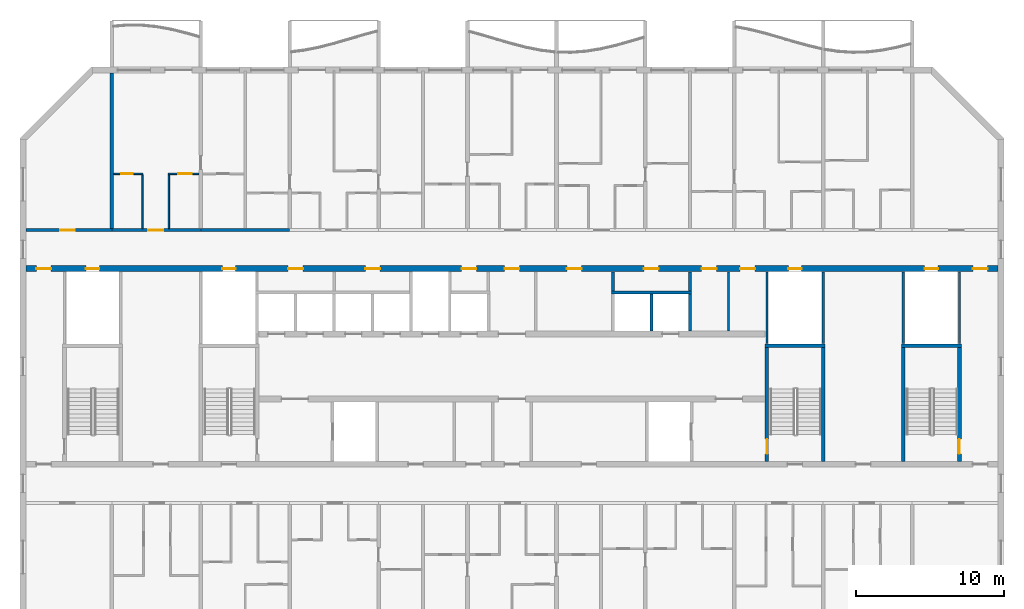
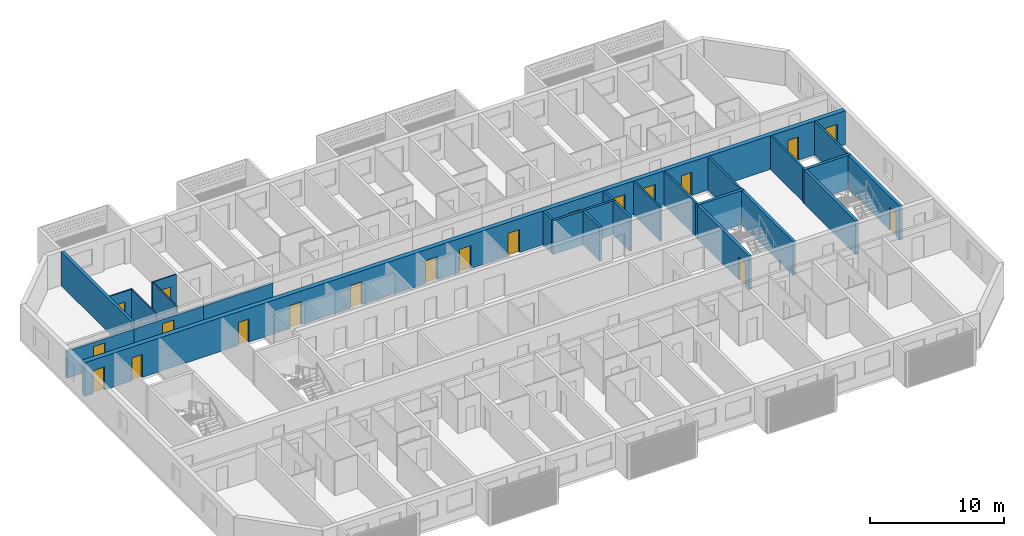
# One storey, part 7 of 26: 25 walls, 20 doors, 20 openings.
"""IFC4 building model written with IfcOpenShell, lengths in metres."""

import ifcopenshell
import ifcopenshell.guid

model = None  # the IFC model being written
_history = None  # IfcOwnerHistory: only IFC2X3 demands one
_inside = {}  # id of a spatial element -> (the spatial element, [elements in it])
_under = {}  # id of a project, library or spatial element -> (it, [spatial elements below it])
_declared = {}  # id of a project -> (the project, [libraries it declares])
_typed = {}  # id of a type object -> (the type object, [elements of that type])
_made_of = {}  # id of a material, layer set ... -> (it, [elements and type objects made of it])


def new_model(schema):
    """Start an empty IFC model of exactly this schema.

    Asked for "IFC4X3", IfcOpenShell would pick the latest addendum, in which some entities
    have other attributes; the version numbers below select the first issue.
    IFC2X3 requires an IfcOwnerHistory on every rooted entity: one is made here for all.
    """
    global model, _history
    if schema == "IFC4X3":
        model = ifcopenshell.file(schema_version=(4, 3, 0, 0))
    else:
        model = ifcopenshell.file(schema=schema)
    _inside.clear()
    _under.clear()
    _declared.clear()
    _typed.clear()
    _made_of.clear()
    _history = None
    if model.schema == "IFC2X3":
        org = make("IfcOrganization", Name="unknown")
        user = make(
            "IfcPersonAndOrganization",
            ThePerson=make("IfcPerson", FamilyName="unknown"),
            TheOrganization=org,
        )
        app = make(
            "IfcApplication",
            ApplicationDeveloper=org,
            Version="unknown",
            ApplicationFullName="unknown",
            ApplicationIdentifier="unknown",
        )
        _history = make(
            "IfcOwnerHistory",
            OwningUser=user,
            OwningApplication=app,
            ChangeAction="ADDED",
            CreationDate=0,
        )
    return model


def make(cls, **values):
    """One entity of the class cls with the attributes given. An attribute that is None is left unset."""
    return model.create_entity(
        cls, **{name: value for name, value in values.items() if value is not None}
    )


def rooted(cls, **values):
    """An entity with a GlobalId (a new one), such as an element, a storey or a relation."""
    return make(cls, GlobalId=ifcopenshell.guid.new(), OwnerHistory=_history, **values)


def si_unit(unit_type, name, prefix=None):
    """IfcSIUnit, for example si_unit("LENGTHUNIT", "METRE", prefix="MILLI")."""
    return make("IfcSIUnit", UnitType=unit_type, Prefix=prefix, Name=name)


def assignment(units):
    """IfcUnitAssignment: the units of a project."""
    return None if units is None else make("IfcUnitAssignment", Units=units)


def point(xyz):
    """IfcCartesianPoint."""
    return None if xyz is None else make("IfcCartesianPoint", Coordinates=xyz)


def direction(xyz):
    """IfcDirection."""
    return None if xyz is None else make("IfcDirection", DirectionRatios=xyz)


def frame(location, z_axis=None, x_axis=None):
    """IfcAxis2Placement3D, a coordinate frame: its origin and axes. An axis left out is left unset."""
    return make(
        "IfcAxis2Placement3D",
        Location=point(location),
        Axis=direction(z_axis),
        RefDirection=direction(x_axis),
    )


def frame_2d(location, x_axis=None):
    """IfcAxis2Placement2D, a coordinate frame in the plane: its origin and x axis."""
    return make(
        "IfcAxis2Placement2D", Location=point(location), RefDirection=direction(x_axis)
    )


def origin():
    """The frame at (0, 0, 0) with its axes left unset."""
    return frame((0.0, 0.0, 0.0))


def place(relative_to, where):
    """IfcLocalPlacement: puts the frame where relative to a parent placement (None: the world)."""
    return make(
        "IfcLocalPlacement", PlacementRelTo=relative_to, RelativePlacement=where
    )


def context(
    kind, dimensions, precision=None, world=None, true_north=None, identifier=None
):
    """IfcGeometricRepresentationContext, for example the 3D "Model" context."""
    return make(
        "IfcGeometricRepresentationContext",
        ContextIdentifier=identifier,
        ContextType=kind,
        CoordinateSpaceDimension=dimensions,
        Precision=precision,
        WorldCoordinateSystem=world,
        TrueNorth=true_north,
    )


def subcontext(parent, identifier, kind, view, scale=None):
    """IfcGeometricRepresentationSubContext, for example "Body" below "Model"."""
    return make(
        "IfcGeometricRepresentationSubContext",
        ContextIdentifier=identifier,
        ContextType=kind,
        ParentContext=parent,
        TargetScale=scale,
        TargetView=view,
    )


def project(units=None, contexts=None):
    """IfcProject with its units and contexts."""
    return rooted(
        "IfcProject",
        Name="project",
        RepresentationContexts=contexts,
        UnitsInContext=assignment(units),
    )


def spatial(cls, under=None, at=None, **own):
    """A site, building, storey or space (cls), placed at a placement, below another one or the project."""
    s = rooted(cls, ObjectPlacement=at, **own)
    if under is not None:
        _under.setdefault(under.id(), (under, []))[1].append(s)
    return s


def profile(cls, at=None, kind="AREA", **sizes):
    """A parametric profile (cls). Its sizes go by their IFC names, for example OverallWidth=200.0."""
    return make(cls, ProfileType=kind, Position=at, **sizes)


def rectangle(**sizes):
    """IfcRectangleProfileDef."""
    return profile("IfcRectangleProfileDef", **sizes)


def extrude(swept, where, along, depth):
    """IfcExtrudedAreaSolid: the profile swept, set in the frame where, extruded along a direction by depth."""
    return make(
        "IfcExtrudedAreaSolid",
        SweptArea=swept,
        Position=where,
        ExtrudedDirection=direction(along),
        Depth=depth,
    )


def shape(context_of_items, identifier, shape_type, items):
    """IfcShapeRepresentation: the items that make up one representation, for example the "Body"."""
    return make(
        "IfcShapeRepresentation",
        ContextOfItems=context_of_items,
        RepresentationIdentifier=identifier,
        RepresentationType=shape_type,
        Items=items,
    )


def material(Name=None, Category=None):
    """IfcMaterial."""
    return make("IfcMaterial", Name=Name, Category=Category)


def layer(
    of_material, thickness, ventilated=None, Name=None, Category=None, Priority=None
):
    """IfcMaterialLayer: one layer of a wall or slab, of a material (None: an air gap)."""
    return make(
        "IfcMaterialLayer",
        Material=of_material,
        LayerThickness=thickness,
        IsVentilated=ventilated,
        Name=Name,
        Category=Category,
        Priority=Priority,
    )


def layer_set(layers, Name=None):
    """IfcMaterialLayerSet."""
    return make("IfcMaterialLayerSet", MaterialLayers=layers, LayerSetName=Name)


def made_of(thing, what):
    """Note that an element or type object is made of a material, layer set ...; save() writes the relation."""
    if what is not None:
        _made_of.setdefault(what.id(), (what, []))[1].append(thing)
    return thing


def type_object(cls, material=None, **own):
    """A type object (cls), such as IfcWallType, which elements share."""
    return made_of(rooted(cls, **own), material)


def element(
    cls,
    number,
    at=None,
    inside=None,
    cuts=None,
    type_object=None,
    material=None,
    context=None,
    identifier="Body",
    shape_type=None,
    held_by="IfcProductDefinitionShape",
    body=None,
    shapes=None,
    **own,
):
    """One element of the class cls, such as IfcWall. Its Tag is "e" and its number.

    at: its placement. inside: the storey or other place that contains it. cuts: it is an
    opening in that element (IfcRelVoidsElement). A single representation is given by context,
    identifier, shape_type and body (its items); several are given by shapes. held_by: the class
    of the entity that holds the representations. save() writes the other relations.
    """
    e = rooted(cls, Tag="e%d" % number, ObjectPlacement=at, **own)
    if body is not None:
        shapes = [shape(context, identifier, shape_type, body)]
    if shapes is not None:
        e.Representation = make(held_by, Representations=shapes)
    if inside is not None:
        _inside.setdefault(inside.id(), (inside, []))[1].append(e)
    if cuts is not None:
        rooted(
            "IfcRelVoidsElement", RelatingBuildingElement=cuts, RelatedOpeningElement=e
        )
    if type_object is not None:
        _typed.setdefault(type_object.id(), (type_object, []))[1].append(e)
    return made_of(e, material)


def fill(opening, filler):
    """IfcRelFillsElement: the door or window that sits in an opening."""
    return rooted(
        "IfcRelFillsElement",
        RelatingOpeningElement=opening,
        RelatedBuildingElement=filler,
    )


def aggregate(whole, parts):
    """IfcRelAggregates: a whole, such as a stair, and the parts it consists of."""
    return rooted("IfcRelAggregates", RelatingObject=whole, RelatedObjects=parts)


def save(model, path):
    """Write the relations noted so far, then the file.

    IfcRelAggregates (storeys below a building ...), IfcRelContainedInSpatialStructure (elements
    in a storey), IfcRelDefinesByType, IfcRelAssociatesMaterial and IfcRelDeclares: one each for
    every whole, place, type object, material and project.
    """
    for whole, parts in _under.values():
        aggregate(whole, parts)
    for where, things in _inside.values():
        rooted(
            "IfcRelContainedInSpatialStructure",
            RelatedElements=things,
            RelatingStructure=where,
        )
    for kind, things in _typed.values():
        rooted("IfcRelDefinesByType", RelatedObjects=things, RelatingType=kind)
    for what, things in _made_of.values():
        rooted("IfcRelAssociatesMaterial", RelatedObjects=things, RelatingMaterial=what)
    for by, libraries in _declared.values():
        rooted("IfcRelDeclares", RelatingContext=by, RelatedDefinitions=libraries)
    model.write(path)


model = new_model("IFC4")

# Units and contexts
model_context = context("Model", 3, precision=1e-05, world=origin(), true_north=direction((0.0, 1.0)))
body_context = subcontext(model_context, "Body", "Model", "MODEL_VIEW")
ifc_project = project(units=[si_unit("LENGTHUNIT", "METRE"), si_unit("AREAUNIT", "SQUARE_METRE"), si_unit("VOLUMEUNIT", "CUBIC_METRE"), si_unit("PLANEANGLEUNIT", "RADIAN"), si_unit("MASSUNIT", "GRAM", prefix="KILO")], contexts=[model_context])

# Site, building, storey
site_placement = place(None, origin())
site = spatial("IfcSite", under=ifc_project, at=site_placement, CompositionType="ELEMENT")
building_placement = place(site_placement, origin())
building = spatial("IfcBuilding", under=site, at=building_placement, Name="Poui Terraces", CompositionType="ELEMENT")
storey_placement = place(building_placement, frame((0.0, 0.0, 178.5)))
storey = spatial("IfcBuildingStorey", under=building, at=storey_placement, Name="L49", CompositionType="ELEMENT", Elevation=178.5)

# Wall, opening, door
ifc_material_1 = material(Name="Concrete 50 MPa", Category="concrete")
ifc_layer_1 = layer(ifc_material_1, 0.199951171875)
ifc_layer_set_1 = layer_set([ifc_layer_1], Name="Concrete 50 MPa")
wall_type_1 = type_object("IfcWallType", Name="CORRIDOR WALL 200 50MPa", PredefinedType="SHEAR", material=ifc_layer_set_1)
wall_1_placement = place(storey_placement, frame((18.199951171875, 30.39990234375, 0.0), z_axis=(0.0, 0.0, 1.0), x_axis=(1.0, 0.0, 0.0)))
wall_1 = element("IfcWall", 1, at=wall_1_placement, inside=storey, type_object=wall_type_1, Name="CORRIDOR WALL LINE E BAY 1", PredefinedType="SHEAR", context=body_context, shape_type="SweptSolid", body=[
    extrude(rectangle(XDim=5.800048828125, YDim=0.199951171875, at=frame_2d((2.89990234375, 0.0))), origin(), (0.0, 0.0, 1.0), 2.47998046875),
])
opening_1_placement = place(wall_1_placement, frame((2.300048828125, 0.0, 0.0)))
opening_1 = element("IfcOpeningElement", 2, at=opening_1_placement, cuts=wall_1, Name="Opening D100", PredefinedType="OPENING", context=body_context, shape_type="SweptSolid", body=[
    extrude(rectangle(XDim=1.0, YDim=2.10009765625, at=frame_2d((0.5, 1.050048828125))), frame((0.0, 0.10986328125, 0.0), z_axis=(0.0, -1.0, 0.0), x_axis=(1.0, 0.0, 0.0)), (0.0, 0.0, 1.0), 0.219970703125),
])
ifc_material_2 = material(Name="Solid core timber door", Category="wood")
door_type_1 = type_object("IfcDoorType", Name="ACCESSIBLE INTERNAL DOOR 1000 X 2100", OperationType="NOTDEFINED", PredefinedType="DOOR", material=ifc_material_2)
door_1_placement = place(opening_1_placement, origin())
door_1 = element("IfcDoor", 3, at=door_1_placement, inside=storey, type_object=door_type_1, Name="ACCESSIBLE INTERNAL DOOR 025", OperationType="SINGLE_SWING_LEFT", OverallHeight=2.10009765625, OverallWidth=1.0, PredefinedType="DOOR", context=body_context, shape_type="SweptSolid", body=[
    extrude(rectangle(XDim=1.0, YDim=2.10009765625, at=frame_2d((0.5, 1.050048828125))), frame((0.0, 0.02490234375, 0.0), z_axis=(0.0, -1.0, 0.0), x_axis=(1.0, 0.0, 0.0)), (0.0, 0.0, 1.0), 0.050048828125),
])
fill(opening_1, door_1)

wall_2_placement = place(storey_placement, frame((24.0, 30.39990234375, 0.0), z_axis=(0.0, 0.0, 1.0), x_axis=(1.0, 0.0, 0.0)))
wall_2 = element("IfcWall", 4, at=wall_2_placement, inside=storey, type_object=wall_type_1, Name="CORRIDOR WALL LINE E BAY 2", PredefinedType="SHEAR", context=body_context, shape_type="SweptSolid", body=[
    extrude(rectangle(XDim=6.0, YDim=0.199951171875, at=frame_2d((3.0, 0.0))), origin(), (0.0, 0.0, 1.0), 2.47998046875),
])
opening_2_placement = place(wall_2_placement, frame((2.449951171875, 0.0, 0.0)))
opening_2 = element("IfcOpeningElement", 5, at=opening_2_placement, cuts=wall_2, Name="Opening FD30S", PredefinedType="OPENING", context=body_context, shape_type="SweptSolid", body=[
    extrude(rectangle(XDim=1.0, YDim=2.10009765625, at=frame_2d((0.5, 1.050048828125))), frame((0.0, 0.10986328125, 0.0), z_axis=(0.0, -1.0, 0.0), x_axis=(1.0, 0.0, 0.0)), (0.0, 0.0, 1.0), 0.219970703125),
])
ifc_material_3 = material(Name="Steel fire door", Category="steel")
door_type_2 = type_object("IfcDoorType", Name="FLAT ENTRANCE DOOR 1000 X 2100", OperationType="NOTDEFINED", PredefinedType="DOOR", material=ifc_material_3)
door_2_placement = place(opening_2_placement, origin())
door_2 = element("IfcDoor", 6, at=door_2_placement, inside=storey, type_object=door_type_2, Name="FLAT ENTRANCE DOOR 028", OperationType="SINGLE_SWING_LEFT", OverallHeight=2.10009765625, OverallWidth=1.0, PredefinedType="DOOR", context=body_context, shape_type="SweptSolid", body=[
    extrude(rectangle(XDim=1.0, YDim=2.10009765625, at=frame_2d((0.5, 1.050048828125))), frame((0.0, 0.02490234375, 0.0), z_axis=(0.0, -1.0, 0.0), x_axis=(1.0, 0.0, 0.0)), (0.0, 0.0, 1.0), 0.050048828125),
])
fill(opening_2, door_2)

# Walls
wall_3_placement = place(storey_placement, frame((30.0, 30.39990234375, 0.0), z_axis=(0.0, 0.0, 1.0), x_axis=(1.0, 0.0, 0.0)))
element("IfcWall", 7, at=wall_3_placement, inside=storey, type_object=wall_type_1, Name="CORRIDOR WALL LINE E BAY 3", PredefinedType="SHEAR", context=body_context, shape_type="SweptSolid", body=[
    extrude(rectangle(XDim=6.0, YDim=0.199951171875, at=frame_2d((3.0, 0.0))), origin(), (0.0, 0.0, 1.0), 2.47998046875),
])
ifc_layer_2 = layer(ifc_material_1, 0.25)
ifc_layer_set_2 = layer_set([ifc_layer_2], Name="Concrete 50 MPa")
wall_type_2 = type_object("IfcWallType", Name="CROSS WALL 250 50MPa", PredefinedType="SHEAR", material=ifc_layer_set_2)
wall_4_placement = place(storey_placement, frame((24.0, 30.5, 0.0), z_axis=(0.0, 0.0, 1.0), x_axis=(0.0, 1.0, 0.0)))
element("IfcWall", 8, at=wall_4_placement, inside=storey, type_object=wall_type_2, Name="CROSS WALL LINE 5 NORTH", PredefinedType="SHEAR", context=body_context, shape_type="SweptSolid", body=[
    extrude(rectangle(XDim=10.5, YDim=0.25, at=frame_2d((5.25, 0.0))), origin(), (0.0, 0.0, 1.0), 3.080078125),
])

# Wall, opening, door
ifc_material_4 = material(Name="Plasterboard partition")
ifc_layer_3 = layer(ifc_material_4, 0.10009765625)
ifc_layer_set_3 = layer_set([ifc_layer_3], Name="Plasterboard partition")
wall_type_3 = type_object("IfcWallType", Name="FLAT PARTITION 100", PredefinedType="PARTITIONING", material=ifc_layer_set_3)
wall_5_placement = place(storey_placement, frame((24.135009765625, 34.199951171875, 0.0), z_axis=(0.0, 0.0, 1.0), x_axis=(1.0, 0.0, 0.0)))
wall_5 = element("IfcWall", 9, at=wall_5_placement, inside=storey, type_object=wall_type_3, Name="FLAT PARTITION 100", PredefinedType="PARTITIONING", context=body_context, shape_type="SweptSolid", body=[
    extrude(rectangle(XDim=1.965087890625, YDim=0.10009765625, at=frame_2d((0.982421875, 0.0))), origin(), (0.0, 0.0, 1.0), 3.080078125),
])
opening_3_placement = place(wall_5_placement, frame((0.489990234375, 0.0, 0.0)))
opening_3 = element("IfcOpeningElement", 10, at=opening_3_placement, cuts=wall_5, Name="Opening D80", PredefinedType="OPENING", context=body_context, shape_type="SweptSolid", body=[
    extrude(rectangle(XDim=0.800048828125, YDim=2.10009765625, at=frame_2d((0.39990234375, 1.050048828125))), frame((0.0, 0.06005859375, 0.0), z_axis=(0.0, -1.0, 0.0), x_axis=(1.0, 0.0, 0.0)), (0.0, 0.0, 1.0), 0.1201171875),
])
door_type_3 = type_object("IfcDoorType", Name="BATHROOM, LAUNDRY AND STORE DOOR 800 X 2100", OperationType="NOTDEFINED", PredefinedType="DOOR", material=ifc_material_2)
door_3_placement = place(opening_3_placement, frame((0.800048828125, 0.0, 0.0), z_axis=(0.0, 0.0, 1.0), x_axis=(-1.0, 0.0, 0.0)))
door_3 = element("IfcDoor", 11, at=door_3_placement, inside=storey, type_object=door_type_3, Name="BATHROOM, LAUNDRY AND STORE DOOR 027", OperationType="SINGLE_SWING_RIGHT", OverallHeight=2.10009765625, OverallWidth=0.800048828125, PredefinedType="DOOR", context=body_context, shape_type="SweptSolid", body=[
    extrude(rectangle(XDim=0.800048828125, YDim=2.10009765625, at=frame_2d((0.39990234375, 1.050048828125))), frame((0.0, 0.02490234375, 0.0), z_axis=(0.0, -1.0, 0.0), x_axis=(1.0, 0.0, 0.0)), (0.0, 0.0, 1.0), 0.050048828125),
])
fill(opening_3, door_3)

wall_6_placement = place(storey_placement, frame((27.800048828125, 34.199951171875, 0.0), z_axis=(0.0, 0.0, 1.0), x_axis=(1.0, 0.0, 0.0)))
wall_6 = element("IfcWall", 12, at=wall_6_placement, inside=storey, type_object=wall_type_3, Name="FLAT PARTITION 100", PredefinedType="PARTITIONING", context=body_context, shape_type="SweptSolid", body=[
    extrude(rectangle(XDim=2.06494140625, YDim=0.10009765625, at=frame_2d((1.032470703125, 0.0))), origin(), (0.0, 0.0, 1.0), 3.080078125),
])
opening_4_placement = place(wall_6_placement, frame((0.675048828125, 0.0, 0.0)))
opening_4 = element("IfcOpeningElement", 13, at=opening_4_placement, cuts=wall_6, Name="Opening D90", PredefinedType="OPENING", context=body_context, shape_type="SweptSolid", body=[
    extrude(rectangle(XDim=0.89990234375, YDim=2.10009765625, at=frame_2d((0.449951171875, 1.050048828125))), frame((0.0, 0.06005859375, 0.0), z_axis=(0.0, -1.0, 0.0), x_axis=(1.0, 0.0, 0.0)), (0.0, 0.0, 1.0), 0.1201171875),
])
door_type_4 = type_object("IfcDoorType", Name="INTERNAL DOOR 900 X 2100", OperationType="NOTDEFINED", PredefinedType="DOOR", material=ifc_material_2)
door_4_placement = place(opening_4_placement, frame((0.89990234375, 0.0, 0.0), z_axis=(0.0, 0.0, 1.0), x_axis=(-1.0, 0.0, 0.0)))
door_4 = element("IfcDoor", 14, at=door_4_placement, inside=storey, type_object=door_type_4, Name="INTERNAL DOOR 029", OperationType="SINGLE_SWING_LEFT", OverallHeight=2.10009765625, OverallWidth=0.89990234375, PredefinedType="DOOR", context=body_context, shape_type="SweptSolid", body=[
    extrude(rectangle(XDim=0.89990234375, YDim=2.10009765625, at=frame_2d((0.449951171875, 1.050048828125))), frame((0.0, 0.02490234375, 0.0), z_axis=(0.0, -1.0, 0.0), x_axis=(1.0, 0.0, 0.0)), (0.0, 0.0, 1.0), 0.050048828125),
])
fill(opening_4, door_4)

# Walls
for number, where, z_axis, x_axis, name in (
    (15, (26.050048828125, 30.510009765625, 0.0), (0.0, 0.0, 1.0), (0.0, 1.0, 0.0), "FLAT PARTITION 100"),
    (16, (27.85009765625, 30.510009765625, 0.0), (0.0, 0.0, 1.0), (0.0, 1.0, 0.0), "FLAT PARTITION 100"),
):
    element("IfcWall", number, at=place(storey_placement, frame(where, z_axis=z_axis, x_axis=x_axis)), inside=storey, type_object=wall_type_3, Name=name, PredefinedType="PARTITIONING", context=body_context, shape_type="SweptSolid", body=[
        extrude(rectangle(XDim=3.639892578125, YDim=0.10009765625, at=frame_2d((1.81982421875, 0.0))), origin(), (0.0, 0.0, 1.0), 3.080078125),
    ])
ifc_layer_4 = layer(ifc_material_4, 0.14990234375)
ifc_layer_set_4 = layer_set([ifc_layer_4], Name="Plasterboard partition")
wall_type_4 = type_object("IfcWallType", Name="PARTITION WALL 150", PredefinedType="PARTITIONING", material=ifc_layer_set_4)
wall_7_placement = place(storey_placement, frame((65.60009765625, 23.610107421875, 0.0), z_axis=(0.0, 0.0, 1.0), x_axis=(0.0, 1.0, 0.0)))
element("IfcWall", 17, at=wall_7_placement, inside=storey, type_object=wall_type_4, Name="PARTITION WALL 150", PredefinedType="PARTITIONING", context=body_context, shape_type="SweptSolid", body=[
    extrude(rectangle(XDim=3.97998046875, YDim=0.14990234375, at=frame_2d((1.989990234375, 0.0))), origin(), (0.0, 0.0, 1.0), 3.080078125),
])
ifc_material_5 = material(Name="Fire-rated masonry wall", Category="masonry")
ifc_layer_5 = layer(ifc_material_5, 0.199951171875)
ifc_layer_set_5 = layer_set([ifc_layer_5], Name="Fire-rated masonry wall")
wall_type_5 = type_object("IfcWallType", Name="PLANT ROOM WALL 200", PredefinedType="PARTITIONING", material=ifc_layer_set_5)
for number, where, z_axis, x_axis, name in (
    (18, (57.800048828125, 26.300048828125, 0.0), (0.0, 0.0, 1.0), (0.0, 1.0, 0.0), "PLANT ROOM WALL 200"),
    (19, (63.0, 26.300048828125, 0.0), (0.0, 0.0, 1.0), (0.0, 1.0, 0.0), "PLANT ROOM WALL 200"),
):
    element("IfcWall", number, at=place(storey_placement, frame(where, z_axis=z_axis, x_axis=x_axis)), inside=storey, type_object=wall_type_5, Name=name, PredefinedType="PARTITIONING", context=body_context, shape_type="SweptSolid", body=[
        extrude(rectangle(XDim=1.2900390625, YDim=0.199951171875, at=frame_2d((0.64501953125, 0.0))), origin(), (0.0, 0.0, 1.0), 3.080078125),
    ])
ifc_material_6 = material(Name="Fire-rated plasterboard riser wall")
ifc_layer_6 = layer(ifc_material_6, 0.14990234375)
ifc_layer_set_6 = layer_set([ifc_layer_6], Name="Fire-rated plasterboard riser wall")
wall_type_6 = type_object("IfcWallType", Name="RISER WALL 150", PredefinedType="PARTITIONING", material=ifc_layer_set_6)
for number, where, z_axis, x_axis, name in (
    (20, (68.199951171875, 22.735107421875, 0.0), (0.0, 0.0, 1.0), (0.0, 1.0, 0.0), "RISER WALL 150"),
    (21, (72.0, 22.735107421875, 0.0), (0.0, 0.0, 1.0), (0.0, 1.0, 0.0), "RISER WALL 150"),
    (22, (77.39990234375, 22.735107421875, 0.0), (0.0, 0.0, 1.0), (0.0, 1.0, 0.0), "RISER WALL 150"),
    (23, (81.199951171875, 22.735107421875, 0.0), (0.0, 0.0, 1.0), (0.0, 1.0, 0.0), "RISER WALL 150"),
):
    element("IfcWall", number, at=place(storey_placement, frame(where, z_axis=z_axis, x_axis=x_axis)), inside=storey, type_object=wall_type_6, Name=name, PredefinedType="PARTITIONING", context=body_context, shape_type="SweptSolid", body=[
        extrude(rectangle(XDim=4.85498046875, YDim=0.14990234375, at=frame_2d((2.427490234375, 0.0))), origin(), (0.0, 0.0, 1.0), 3.080078125),
    ])
ifc_material_7 = material(Name="Fire-rated masonry shaft wall", Category="masonry")
ifc_layer_7 = layer(ifc_material_7, 0.199951171875)
ifc_layer_set_7 = layer_set([ifc_layer_7], Name="Fire-rated masonry shaft wall")
wall_type_7 = type_object("IfcWallType", Name="SHAFT WALL 200", PredefinedType="PARTITIONING", material=ifc_layer_set_7)
wall_8_placement = place(storey_placement, frame((57.699951171875, 26.199951171875, 0.0), z_axis=(0.0, 0.0, 1.0), x_axis=(1.0, 0.0, 0.0)))
element("IfcWall", 24, at=wall_8_placement, inside=storey, type_object=wall_type_7, Name="SHAFT WALL 200", PredefinedType="PARTITIONING", context=body_context, shape_type="SweptSolid", body=[
    extrude(rectangle(XDim=5.400146484375, YDim=0.199951171875, at=frame_2d((2.7001953125, 0.0))), origin(), (0.0, 0.0, 1.0), 3.080078125),
])
for number, where, z_axis, x_axis, name in (
    (25, (60.39990234375, 23.610107421875, 0.0), (0.0, 0.0, 1.0), (0.0, 1.0, 0.0), "SHAFT WALL 200"),
    (26, (63.0, 23.610107421875, 0.0), (0.0, 0.0, 1.0), (0.0, 1.0, 0.0), "SHAFT WALL 200"),
):
    element("IfcWall", number, at=place(storey_placement, frame(where, z_axis=z_axis, x_axis=x_axis)), inside=storey, type_object=wall_type_7, Name=name, PredefinedType="PARTITIONING", context=body_context, shape_type="SweptSolid", body=[
        extrude(rectangle(XDim=2.489990234375, YDim=0.199951171875, at=frame_2d((1.2451171875, 0.0))), origin(), (0.0, 0.0, 1.0), 3.080078125),
    ])

# Wall, openings, doors
ifc_layer_8 = layer(ifc_material_1, 0.39990234375)
ifc_layer_set_8 = layer_set([ifc_layer_8], Name="Concrete 50 MPa")
wall_type_8 = type_object("IfcWallType", Name="SPINE WALL 400 50 MPA", PredefinedType="SOLIDWALL", material=ifc_layer_set_8)
wall_9_placement = place(storey_placement, frame((18.199951171875, 27.800048828125, 0.0), z_axis=(0.0, 0.0, 1.0), x_axis=(1.0, 0.0, 0.0)))
wall_9 = element("IfcWall", 27, at=wall_9_placement, inside=storey, type_object=wall_type_8, Name="SPINE WALL", PredefinedType="SOLIDWALL", context=body_context, shape_type="SweptSolid", body=[
    extrude(rectangle(XDim=65.60009765625, YDim=0.39990234375, at=frame_2d((32.800048828125, 0.0))), origin(), (0.0, 0.0, 1.0), 3.080078125),
])
opening_5_placement = place(wall_9_placement, frame((0.699951171875, 0.0, 0.0)))
opening_5 = element("IfcOpeningElement", 28, at=opening_5_placement, cuts=wall_9, Name="Opening FDL", PredefinedType="OPENING", context=body_context, shape_type="SweptSolid", body=[
    extrude(rectangle(XDim=1.0, YDim=2.10009765625, at=frame_2d((0.5, 1.050048828125))), frame((0.0, 0.2099609375, 0.0), z_axis=(0.0, -1.0, 0.0), x_axis=(1.0, 0.0, 0.0)), (0.0, 0.0, 1.0), 0.419921875),
])
opening_6_placement = place(wall_9_placement, frame((4.050048828125, 0.0, 0.0)))
opening_6 = element("IfcOpeningElement", 29, at=opening_6_placement, cuts=wall_9, Name="Opening FDR", PredefinedType="OPENING", context=body_context, shape_type="SweptSolid", body=[
    extrude(rectangle(XDim=0.89990234375, YDim=2.10009765625, at=frame_2d((0.449951171875, 1.050048828125))), frame((0.0, 0.2099609375, 0.0), z_axis=(0.0, -1.0, 0.0), x_axis=(1.0, 0.0, 0.0)), (0.0, 0.0, 1.0), 0.419921875),
])
opening_7_placement = place(wall_9_placement, frame((13.25, 0.0, 0.0)))
opening_7 = element("IfcOpeningElement", 30, at=opening_7_placement, cuts=wall_9, Name="Opening FDR", PredefinedType="OPENING", context=body_context, shape_type="SweptSolid", body=[
    extrude(rectangle(XDim=0.89990234375, YDim=2.10009765625, at=frame_2d((0.449951171875, 1.050048828125))), frame((0.0, 0.2099609375, 0.0), z_axis=(0.0, -1.0, 0.0), x_axis=(1.0, 0.0, 0.0)), (0.0, 0.0, 1.0), 0.419921875),
])
opening_8_placement = place(wall_9_placement, frame((17.699951171875, 0.0, 0.0)))
opening_8 = element("IfcOpeningElement", 31, at=opening_8_placement, cuts=wall_9, Name="Opening FD60", PredefinedType="OPENING", context=body_context, shape_type="SweptSolid", body=[
    extrude(rectangle(XDim=1.0, YDim=2.10009765625, at=frame_2d((0.5, 1.050048828125))), frame((0.0, 0.2099609375, 0.0), z_axis=(0.0, -1.0, 0.0), x_axis=(1.0, 0.0, 0.0)), (0.0, 0.0, 1.0), 0.419921875),
])
opening_9_placement = place(wall_9_placement, frame((22.89990234375, 0.0, 0.0)))
opening_9 = element("IfcOpeningElement", 32, at=opening_9_placement, cuts=wall_9, Name="Opening FD60", PredefinedType="OPENING", context=body_context, shape_type="SweptSolid", body=[
    extrude(rectangle(XDim=1.0, YDim=2.10009765625, at=frame_2d((0.5, 1.050048828125))), frame((0.0, 0.2099609375, 0.0), z_axis=(0.0, -1.0, 0.0), x_axis=(1.0, 0.0, 0.0)), (0.0, 0.0, 1.0), 0.419921875),
])
opening_10_placement = place(wall_9_placement, frame((29.39990234375, 0.0, 0.0)))
opening_10 = element("IfcOpeningElement", 33, at=opening_10_placement, cuts=wall_9, Name="Opening FD60", PredefinedType="OPENING", context=body_context, shape_type="SweptSolid", body=[
    extrude(rectangle(XDim=1.0, YDim=2.10009765625, at=frame_2d((0.5, 1.050048828125))), frame((0.0, 0.2099609375, 0.0), z_axis=(0.0, -1.0, 0.0), x_axis=(1.0, 0.0, 0.0)), (0.0, 0.0, 1.0), 0.419921875),
])
opening_11_placement = place(wall_9_placement, frame((32.300048828125, 0.0, 0.0)))
opening_11 = element("IfcOpeningElement", 34, at=opening_11_placement, cuts=wall_9, Name="Opening FDL", PredefinedType="OPENING", context=body_context, shape_type="SweptSolid", body=[
    extrude(rectangle(XDim=1.0, YDim=2.10009765625, at=frame_2d((0.5, 1.050048828125))), frame((0.0, 0.2099609375, 0.0), z_axis=(0.0, -1.0, 0.0), x_axis=(1.0, 0.0, 0.0)), (0.0, 0.0, 1.0), 0.419921875),
])
opening_12_placement = place(wall_9_placement, frame((36.5, 0.0, 0.0)))
opening_12 = element("IfcOpeningElement", 35, at=opening_12_placement, cuts=wall_9, Name="Opening FD60", PredefinedType="OPENING", context=body_context, shape_type="SweptSolid", body=[
    extrude(rectangle(XDim=1.0, YDim=2.10009765625, at=frame_2d((0.5, 1.050048828125))), frame((0.0, 0.2099609375, 0.0), z_axis=(0.0, -1.0, 0.0), x_axis=(1.0, 0.0, 0.0)), (0.0, 0.0, 1.0), 0.419921875),
])
opening_13_placement = place(wall_9_placement, frame((41.699951171875, 0.0, 0.0)))
opening_13 = element("IfcOpeningElement", 36, at=opening_13_placement, cuts=wall_9, Name="Opening FD60", PredefinedType="OPENING", context=body_context, shape_type="SweptSolid", body=[
    extrude(rectangle(XDim=1.0, YDim=2.10009765625, at=frame_2d((0.5, 1.050048828125))), frame((0.0, 0.2099609375, 0.0), z_axis=(0.0, -1.0, 0.0), x_axis=(1.0, 0.0, 0.0)), (0.0, 0.0, 1.0), 0.419921875),
])
opening_14_placement = place(wall_9_placement, frame((45.60009765625, 0.0, 0.0)))
opening_14 = element("IfcOpeningElement", 37, at=opening_14_placement, cuts=wall_9, Name="Opening FD60", PredefinedType="OPENING", context=body_context, shape_type="SweptSolid", body=[
    extrude(rectangle(XDim=1.0, YDim=2.10009765625, at=frame_2d((0.5, 1.050048828125))), frame((0.0, 0.2099609375, 0.0), z_axis=(0.0, -1.0, 0.0), x_axis=(1.0, 0.0, 0.0)), (0.0, 0.0, 1.0), 0.419921875),
])
opening_15_placement = place(wall_9_placement, frame((48.199951171875, 0.0, 0.0)))
opening_15 = element("IfcOpeningElement", 38, at=opening_15_placement, cuts=wall_9, Name="Opening FD60", PredefinedType="OPENING", context=body_context, shape_type="SweptSolid", body=[
    extrude(rectangle(XDim=1.0, YDim=2.10009765625, at=frame_2d((0.5, 1.050048828125))), frame((0.0, 0.2099609375, 0.0), z_axis=(0.0, -1.0, 0.0), x_axis=(1.0, 0.0, 0.0)), (0.0, 0.0, 1.0), 0.419921875),
])
opening_16_placement = place(wall_9_placement, frame((51.449951171875, 0.0, 0.0)))
opening_16 = element("IfcOpeningElement", 39, at=opening_16_placement, cuts=wall_9, Name="Opening FDR", PredefinedType="OPENING", context=body_context, shape_type="SweptSolid", body=[
    extrude(rectangle(XDim=0.89990234375, YDim=2.10009765625, at=frame_2d((0.449951171875, 1.050048828125))), frame((0.0, 0.2099609375, 0.0), z_axis=(0.0, -1.0, 0.0), x_axis=(1.0, 0.0, 0.0)), (0.0, 0.0, 1.0), 0.419921875),
])
opening_17_placement = place(wall_9_placement, frame((60.64990234375, 0.0, 0.0)))
opening_17 = element("IfcOpeningElement", 40, at=opening_17_placement, cuts=wall_9, Name="Opening FDR", PredefinedType="OPENING", context=body_context, shape_type="SweptSolid", body=[
    extrude(rectangle(XDim=0.89990234375, YDim=2.10009765625, at=frame_2d((0.449951171875, 1.050048828125))), frame((0.0, 0.2099609375, 0.0), z_axis=(0.0, -1.0, 0.0), x_axis=(1.0, 0.0, 0.0)), (0.0, 0.0, 1.0), 0.419921875),
])
opening_18_placement = place(wall_9_placement, frame((63.89990234375, 0.0, 0.0)))
opening_18 = element("IfcOpeningElement", 41, at=opening_18_placement, cuts=wall_9, Name="Opening FDL", PredefinedType="OPENING", context=body_context, shape_type="SweptSolid", body=[
    extrude(rectangle(XDim=1.0, YDim=2.10009765625, at=frame_2d((0.5, 1.050048828125))), frame((0.0, 0.2099609375, 0.0), z_axis=(0.0, -1.0, 0.0), x_axis=(1.0, 0.0, 0.0)), (0.0, 0.0, 1.0), 0.419921875),
])
door_type_5 = type_object("IfcDoorType", Name="LOBBY FIRE DOOR 1000 X 2100", OperationType="NOTDEFINED", PredefinedType="DOOR", material=ifc_material_3)
door_5_placement = place(opening_5_placement, origin())
door_5 = element("IfcDoor", 42, at=door_5_placement, inside=storey, type_object=door_type_5, Name="LOBBY FIRE DOOR 001", OperationType="SINGLE_SWING_LEFT", OverallHeight=2.10009765625, OverallWidth=1.0, PredefinedType="DOOR", context=body_context, shape_type="SweptSolid", body=[
    extrude(rectangle(XDim=1.0, YDim=2.10009765625, at=frame_2d((0.5, 1.050048828125))), frame((0.0, 0.02490234375, 0.0), z_axis=(0.0, -1.0, 0.0), x_axis=(1.0, 0.0, 0.0)), (0.0, 0.0, 1.0), 0.050048828125),
])
fill(opening_5, door_5)
door_6_placement = place(opening_11_placement, origin())
door_6 = element("IfcDoor", 43, at=door_6_placement, inside=storey, type_object=door_type_5, Name="LOBBY FIRE DOOR 007", OperationType="SINGLE_SWING_RIGHT", OverallHeight=2.10009765625, OverallWidth=1.0, PredefinedType="DOOR", context=body_context, shape_type="SweptSolid", body=[
    extrude(rectangle(XDim=1.0, YDim=2.10009765625, at=frame_2d((0.5, 1.050048828125))), frame((0.0, 0.02490234375, 0.0), z_axis=(0.0, -1.0, 0.0), x_axis=(1.0, 0.0, 0.0)), (0.0, 0.0, 1.0), 0.050048828125),
])
fill(opening_11, door_6)
door_7_placement = place(opening_18_placement, origin())
door_7 = element("IfcDoor", 44, at=door_7_placement, inside=storey, type_object=door_type_5, Name="LOBBY FIRE DOOR 014", OperationType="SINGLE_SWING_RIGHT", OverallHeight=2.10009765625, OverallWidth=1.0, PredefinedType="DOOR", context=body_context, shape_type="SweptSolid", body=[
    extrude(rectangle(XDim=1.0, YDim=2.10009765625, at=frame_2d((0.5, 1.050048828125))), frame((0.0, 0.02490234375, 0.0), z_axis=(0.0, -1.0, 0.0), x_axis=(1.0, 0.0, 0.0)), (0.0, 0.0, 1.0), 0.050048828125),
])
fill(opening_18, door_7)
door_type_6 = type_object("IfcDoorType", Name="RISER CUPBOARD DOOR 900 X 2100", OperationType="NOTDEFINED", PredefinedType="DOOR", material=ifc_material_3)
door_8_placement = place(opening_6_placement, origin())
door_8 = element("IfcDoor", 45, at=door_8_placement, inside=storey, type_object=door_type_6, Name="RISER CUPBOARD DOOR 002", OperationType="SINGLE_SWING_LEFT", OverallHeight=2.10009765625, OverallWidth=0.89990234375, PredefinedType="DOOR", context=body_context, shape_type="SweptSolid", body=[
    extrude(rectangle(XDim=0.89990234375, YDim=2.10009765625, at=frame_2d((0.449951171875, 1.050048828125))), frame((0.0, 0.02490234375, 0.0), z_axis=(0.0, -1.0, 0.0), x_axis=(1.0, 0.0, 0.0)), (0.0, 0.0, 1.0), 0.050048828125),
])
fill(opening_6, door_8)
door_9_placement = place(opening_7_placement, origin())
door_9 = element("IfcDoor", 46, at=door_9_placement, inside=storey, type_object=door_type_6, Name="RISER CUPBOARD DOOR 003", OperationType="SINGLE_SWING_LEFT", OverallHeight=2.10009765625, OverallWidth=0.89990234375, PredefinedType="DOOR", context=body_context, shape_type="SweptSolid", body=[
    extrude(rectangle(XDim=0.89990234375, YDim=2.10009765625, at=frame_2d((0.449951171875, 1.050048828125))), frame((0.0, 0.02490234375, 0.0), z_axis=(0.0, -1.0, 0.0), x_axis=(1.0, 0.0, 0.0)), (0.0, 0.0, 1.0), 0.050048828125),
])
fill(opening_7, door_9)
door_10_placement = place(opening_16_placement, origin())
door_10 = element("IfcDoor", 47, at=door_10_placement, inside=storey, type_object=door_type_6, Name="RISER CUPBOARD DOOR 012", OperationType="SINGLE_SWING_RIGHT", OverallHeight=2.10009765625, OverallWidth=0.89990234375, PredefinedType="DOOR", context=body_context, shape_type="SweptSolid", body=[
    extrude(rectangle(XDim=0.89990234375, YDim=2.10009765625, at=frame_2d((0.449951171875, 1.050048828125))), frame((0.0, 0.02490234375, 0.0), z_axis=(0.0, -1.0, 0.0), x_axis=(1.0, 0.0, 0.0)), (0.0, 0.0, 1.0), 0.050048828125),
])
fill(opening_16, door_10)
door_11_placement = place(opening_17_placement, origin())
door_11 = element("IfcDoor", 48, at=door_11_placement, inside=storey, type_object=door_type_6, Name="RISER CUPBOARD DOOR 013", OperationType="SINGLE_SWING_RIGHT", OverallHeight=2.10009765625, OverallWidth=0.89990234375, PredefinedType="DOOR", context=body_context, shape_type="SweptSolid", body=[
    extrude(rectangle(XDim=0.89990234375, YDim=2.10009765625, at=frame_2d((0.449951171875, 1.050048828125))), frame((0.0, 0.02490234375, 0.0), z_axis=(0.0, -1.0, 0.0), x_axis=(1.0, 0.0, 0.0)), (0.0, 0.0, 1.0), 0.050048828125),
])
fill(opening_17, door_11)
door_type_7 = type_object("IfcDoorType", Name="SERVICE ROOM FIRE DOOR 1000 X 2100", OperationType="NOTDEFINED", PredefinedType="DOOR", material=ifc_material_3)
door_12_placement = place(opening_8_placement, origin())
door_12 = element("IfcDoor", 49, at=door_12_placement, inside=storey, type_object=door_type_7, Name="SERVICE ROOM FIRE DOOR 004", OperationType="SINGLE_SWING_RIGHT", OverallHeight=2.10009765625, OverallWidth=1.0, PredefinedType="DOOR", context=body_context, shape_type="SweptSolid", body=[
    extrude(rectangle(XDim=1.0, YDim=2.10009765625, at=frame_2d((0.5, 1.050048828125))), frame((0.0, 0.02490234375, 0.0), z_axis=(0.0, -1.0, 0.0), x_axis=(1.0, 0.0, 0.0)), (0.0, 0.0, 1.0), 0.050048828125),
])
fill(opening_8, door_12)
door_13_placement = place(opening_9_placement, origin())
door_13 = element("IfcDoor", 50, at=door_13_placement, inside=storey, type_object=door_type_7, Name="SERVICE ROOM FIRE DOOR 005", OperationType="SINGLE_SWING_LEFT", OverallHeight=2.10009765625, OverallWidth=1.0, PredefinedType="DOOR", context=body_context, shape_type="SweptSolid", body=[
    extrude(rectangle(XDim=1.0, YDim=2.10009765625, at=frame_2d((0.5, 1.050048828125))), frame((0.0, 0.02490234375, 0.0), z_axis=(0.0, -1.0, 0.0), x_axis=(1.0, 0.0, 0.0)), (0.0, 0.0, 1.0), 0.050048828125),
])
fill(opening_9, door_13)
door_14_placement = place(opening_10_placement, origin())
door_14 = element("IfcDoor", 51, at=door_14_placement, inside=storey, type_object=door_type_7, Name="SERVICE ROOM FIRE DOOR 006", OperationType="SINGLE_SWING_RIGHT", OverallHeight=2.10009765625, OverallWidth=1.0, PredefinedType="DOOR", context=body_context, shape_type="SweptSolid", body=[
    extrude(rectangle(XDim=1.0, YDim=2.10009765625, at=frame_2d((0.5, 1.050048828125))), frame((0.0, 0.02490234375, 0.0), z_axis=(0.0, -1.0, 0.0), x_axis=(1.0, 0.0, 0.0)), (0.0, 0.0, 1.0), 0.050048828125),
])
fill(opening_10, door_14)
door_15_placement = place(opening_12_placement, origin())
door_15 = element("IfcDoor", 52, at=door_15_placement, inside=storey, type_object=door_type_7, Name="SERVICE ROOM FIRE DOOR 008", OperationType="SINGLE_SWING_LEFT", OverallHeight=2.10009765625, OverallWidth=1.0, PredefinedType="DOOR", context=body_context, shape_type="SweptSolid", body=[
    extrude(rectangle(XDim=1.0, YDim=2.10009765625, at=frame_2d((0.5, 1.050048828125))), frame((0.0, 0.02490234375, 0.0), z_axis=(0.0, -1.0, 0.0), x_axis=(1.0, 0.0, 0.0)), (0.0, 0.0, 1.0), 0.050048828125),
])
fill(opening_12, door_15)
door_16_placement = place(opening_13_placement, origin())
door_16 = element("IfcDoor", 53, at=door_16_placement, inside=storey, type_object=door_type_7, Name="SERVICE ROOM FIRE DOOR 009", OperationType="SINGLE_SWING_RIGHT", OverallHeight=2.10009765625, OverallWidth=1.0, PredefinedType="DOOR", context=body_context, shape_type="SweptSolid", body=[
    extrude(rectangle(XDim=1.0, YDim=2.10009765625, at=frame_2d((0.5, 1.050048828125))), frame((0.0, 0.02490234375, 0.0), z_axis=(0.0, -1.0, 0.0), x_axis=(1.0, 0.0, 0.0)), (0.0, 0.0, 1.0), 0.050048828125),
])
fill(opening_13, door_16)
door_17_placement = place(opening_14_placement, origin())
door_17 = element("IfcDoor", 54, at=door_17_placement, inside=storey, type_object=door_type_7, Name="SERVICE ROOM FIRE DOOR 010", OperationType="SINGLE_SWING_LEFT", OverallHeight=2.10009765625, OverallWidth=1.0, PredefinedType="DOOR", context=body_context, shape_type="SweptSolid", body=[
    extrude(rectangle(XDim=1.0, YDim=2.10009765625, at=frame_2d((0.5, 1.050048828125))), frame((0.0, 0.02490234375, 0.0), z_axis=(0.0, -1.0, 0.0), x_axis=(1.0, 0.0, 0.0)), (0.0, 0.0, 1.0), 0.050048828125),
])
fill(opening_14, door_17)
door_18_placement = place(opening_15_placement, origin())
door_18 = element("IfcDoor", 55, at=door_18_placement, inside=storey, type_object=door_type_7, Name="SERVICE ROOM FIRE DOOR 011", OperationType="SINGLE_SWING_RIGHT", OverallHeight=2.10009765625, OverallWidth=1.0, PredefinedType="DOOR", context=body_context, shape_type="SweptSolid", body=[
    extrude(rectangle(XDim=1.0, YDim=2.10009765625, at=frame_2d((0.5, 1.050048828125))), frame((0.0, 0.02490234375, 0.0), z_axis=(0.0, -1.0, 0.0), x_axis=(1.0, 0.0, 0.0)), (0.0, 0.0, 1.0), 0.050048828125),
])
fill(opening_15, door_18)

# Wall, opening, door
ifc_layer_9 = layer(ifc_material_1, 0.25)
ifc_layer_set_9 = layer_set([ifc_layer_9], Name="Concrete 50 MPa")
wall_type_9 = type_object("IfcWallType", Name="STAIR CORE WALL 250 50 MPA", PredefinedType="SOLIDWALL", material=ifc_layer_set_9)
wall_10_placement = place(storey_placement, frame((68.199951171875, 14.800048828125, 0.0), z_axis=(0.0, 0.0, 1.0), x_axis=(0.0, 1.0, 0.0)))
wall_10 = element("IfcWall", 56, at=wall_10_placement, inside=storey, type_object=wall_type_9, Name="STAIR CORE WALL", PredefinedType="SOLIDWALL", context=body_context, shape_type="SweptSolid", body=[
    extrude(rectangle(XDim=7.675048828125, YDim=0.25, at=frame_2d((3.83740234375, 0.0))), origin(), (0.0, 0.0, 1.0), 3.080078125),
])
opening_19_placement = place(wall_10_placement, frame((0.5, 0.0, 0.0)))
opening_19 = element("IfcOpeningElement", 57, at=opening_19_placement, cuts=wall_10, Name="Opening FD60S", PredefinedType="OPENING", context=body_context, shape_type="SweptSolid", body=[
    extrude(rectangle(XDim=1.0, YDim=2.10009765625, at=frame_2d((0.5, 1.050048828125))), frame((0.0, 0.135009765625, 0.0), z_axis=(0.0, -1.0, 0.0), x_axis=(1.0, 0.0, 0.0)), (0.0, 0.0, 1.0), 0.27001953125),
])
door_type_8 = type_object("IfcDoorType", Name="STAIR DOOR 1000 X 2100", OperationType="NOTDEFINED", PredefinedType="DOOR", material=ifc_material_3)
door_19_placement = place(opening_19_placement, frame((1.0, 0.0, 0.0), z_axis=(0.0, 0.0, 1.0), x_axis=(-1.0, 0.0, 0.0)))
door_19 = element("IfcDoor", 58, at=door_19_placement, inside=storey, type_object=door_type_8, Name="STAIR DOOR 096", OperationType="SINGLE_SWING_LEFT", OverallHeight=2.10009765625, OverallWidth=1.0, PredefinedType="DOOR", context=body_context, shape_type="SweptSolid", body=[
    extrude(rectangle(XDim=1.0, YDim=2.10009765625, at=frame_2d((0.5, 1.050048828125))), frame((0.0, 0.02490234375, 0.0), z_axis=(0.0, -1.0, 0.0), x_axis=(1.0, 0.0, 0.0)), (0.0, 0.0, 1.0), 0.050048828125),
])
fill(opening_19, door_19)

# Walls
wall_11_placement = place(storey_placement, frame((72.0, 14.800048828125, 0.0), z_axis=(0.0, 0.0, 1.0), x_axis=(0.0, 1.0, 0.0)))
element("IfcWall", 59, at=wall_11_placement, inside=storey, type_object=wall_type_9, Name="STAIR CORE WALL", PredefinedType="SOLIDWALL", context=body_context, shape_type="SweptSolid", body=[
    extrude(rectangle(XDim=7.675048828125, YDim=0.25, at=frame_2d((3.83740234375, 0.0))), origin(), (0.0, 0.0, 1.0), 3.080078125),
])
wall_12_placement = place(storey_placement, frame((68.074951171875, 22.60009765625, 0.0), z_axis=(0.0, 0.0, 1.0), x_axis=(1.0, 0.0, 0.0)))
element("IfcWall", 60, at=wall_12_placement, inside=storey, type_object=wall_type_9, Name="STAIR CORE WALL", PredefinedType="SOLIDWALL", context=body_context, shape_type="SweptSolid", body=[
    extrude(rectangle(XDim=4.050048828125, YDim=0.25, at=frame_2d((2.02490234375, 0.0))), origin(), (0.0, 0.0, 1.0), 3.080078125),
])
wall_13_placement = place(storey_placement, frame((77.39990234375, 14.800048828125, 0.0), z_axis=(0.0, 0.0, 1.0), x_axis=(0.0, 1.0, 0.0)))
element("IfcWall", 61, at=wall_13_placement, inside=storey, type_object=wall_type_9, Name="STAIR CORE WALL", PredefinedType="SOLIDWALL", context=body_context, shape_type="SweptSolid", body=[
    extrude(rectangle(XDim=7.675048828125, YDim=0.25, at=frame_2d((3.83740234375, 0.0))), origin(), (0.0, 0.0, 1.0), 3.080078125),
])

# Wall, opening, door
wall_14_placement = place(storey_placement, frame((81.199951171875, 14.800048828125, 0.0), z_axis=(0.0, 0.0, 1.0), x_axis=(0.0, 1.0, 0.0)))
wall_14 = element("IfcWall", 62, at=wall_14_placement, inside=storey, type_object=wall_type_9, Name="STAIR CORE WALL", PredefinedType="SOLIDWALL", context=body_context, shape_type="SweptSolid", body=[
    extrude(rectangle(XDim=7.675048828125, YDim=0.25, at=frame_2d((3.83740234375, 0.0))), origin(), (0.0, 0.0, 1.0), 3.080078125),
])
opening_20_placement = place(wall_14_placement, frame((0.5, 0.0, 0.0)))
opening_20 = element("IfcOpeningElement", 63, at=opening_20_placement, cuts=wall_14, Name="Opening FD60S", PredefinedType="OPENING", context=body_context, shape_type="SweptSolid", body=[
    extrude(rectangle(XDim=1.0, YDim=2.10009765625, at=frame_2d((0.5, 1.050048828125))), frame((0.0, 0.135009765625, 0.0), z_axis=(0.0, -1.0, 0.0), x_axis=(1.0, 0.0, 0.0)), (0.0, 0.0, 1.0), 0.27001953125),
])
door_20_placement = place(opening_20_placement, origin())
door_20 = element("IfcDoor", 64, at=door_20_placement, inside=storey, type_object=door_type_8, Name="STAIR DOOR 110", OperationType="SINGLE_SWING_LEFT", OverallHeight=2.10009765625, OverallWidth=1.0, PredefinedType="DOOR", context=body_context, shape_type="SweptSolid", body=[
    extrude(rectangle(XDim=1.0, YDim=2.10009765625, at=frame_2d((0.5, 1.050048828125))), frame((0.0, 0.02490234375, 0.0), z_axis=(0.0, -1.0, 0.0), x_axis=(1.0, 0.0, 0.0)), (0.0, 0.0, 1.0), 0.050048828125),
])
fill(opening_20, door_20)

# Wall
wall_15_placement = place(storey_placement, frame((77.27490234375, 22.60009765625, 0.0), z_axis=(0.0, 0.0, 1.0), x_axis=(1.0, 0.0, 0.0)))
element("IfcWall", 65, at=wall_15_placement, inside=storey, type_object=wall_type_9, Name="STAIR CORE WALL", PredefinedType="SOLIDWALL", context=body_context, shape_type="SweptSolid", body=[
    extrude(rectangle(XDim=4.050048828125, YDim=0.25, at=frame_2d((2.02490234375, 0.0))), origin(), (0.0, 0.0, 1.0), 3.080078125),
])

save(model, "model.ifc")
